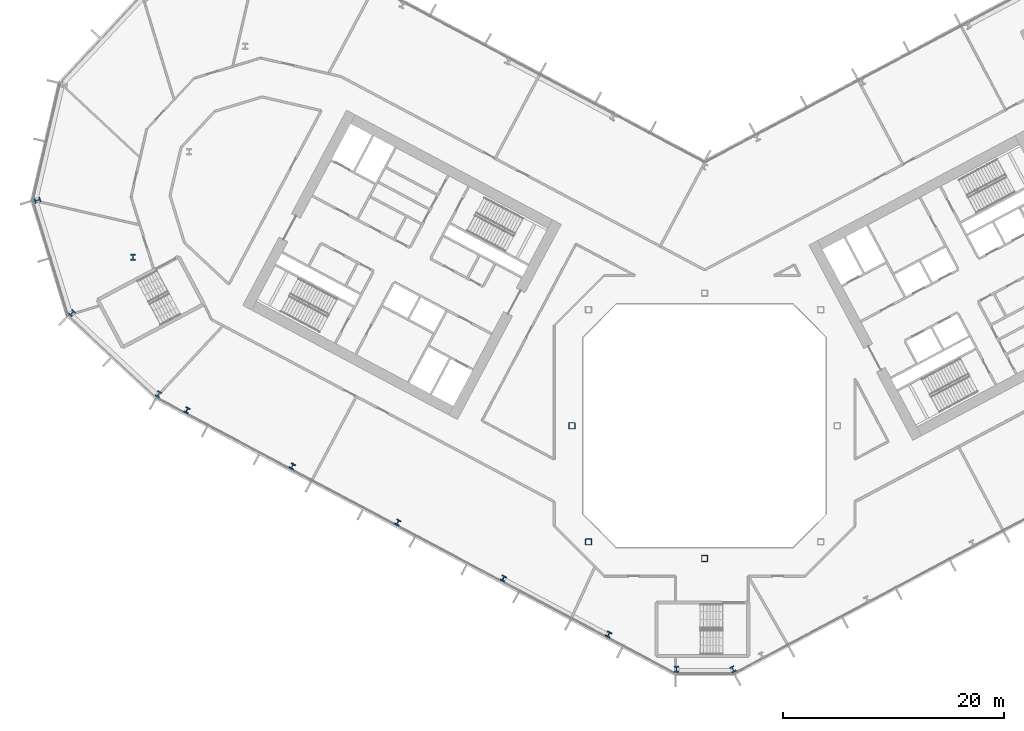
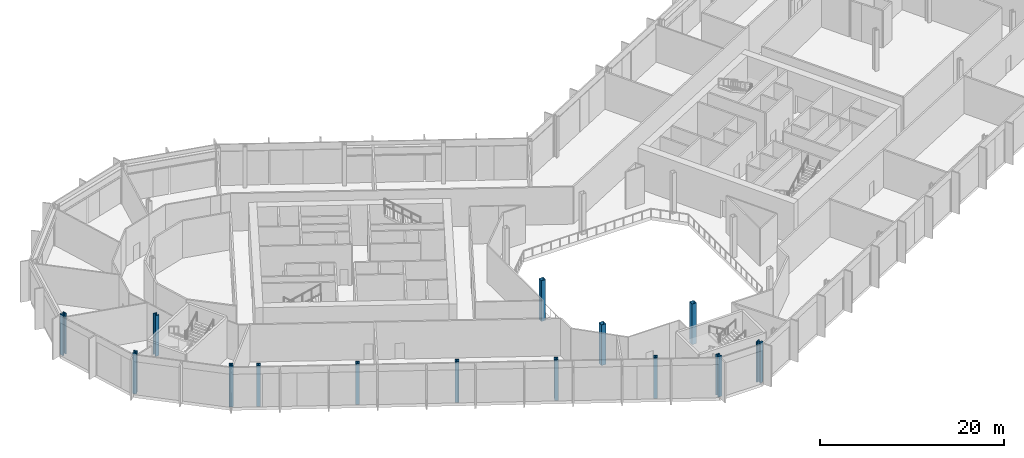
# One storey, part 1 of 30: 14 columns.
"""IFC4 building model written with IfcOpenShell, lengths in metres."""

from ifc_helpers import new_model, si_unit, direction, frame, origin, origin_2d, place, context, subcontext, project, spatial, hollow_rectangle, i_section, extrude, material, material_profile, profile_set, type_object, element, save


model = new_model("IFC4")

# Units and contexts
model_context = context("Model", 3, precision=1e-05, world=origin(), true_north=direction((0.0, 1.0)))
body_context = subcontext(model_context, "Body", "Model", "MODEL_VIEW")
ifc_project = project(units=[si_unit("LENGTHUNIT", "METRE"), si_unit("AREAUNIT", "SQUARE_METRE"), si_unit("VOLUMEUNIT", "CUBIC_METRE"), si_unit("PLANEANGLEUNIT", "RADIAN"), si_unit("MASSUNIT", "GRAM", prefix="KILO")], contexts=[model_context])

# Site, building, storey
site_placement = place(None, origin())
site = spatial("IfcSite", under=ifc_project, at=site_placement, CompositionType="ELEMENT")
building_placement = place(site_placement, origin())
building = spatial("IfcBuilding", under=site, at=building_placement, Name="Cormorant Relay Tower", CompositionType="ELEMENT")
storey_placement = place(building_placement, frame((0.0, 0.0, 55.39990234375)))
storey = spatial("IfcBuildingStorey", under=building, at=storey_placement, Name="L10", CompositionType="ELEMENT", Elevation=55.39990234375)

# Columns
ifc_material_1 = material(Name="Steel ASTM A1085 Grade A (Fy 345 MPa)", Category="steel")
ifc_material_profile_1 = material_profile(ifc_material_1, hollow_rectangle(XDim=0.558837890625, YDim=0.558837890625, WallThickness=0.023681640625, InnerFilletRadius=0.01171875, OuterFilletRadius=0.035400390625, at=origin_2d()), Name="HSS559x559x24")
ifc_profile_set_1 = profile_set([ifc_material_profile_1], Name="Steel ASTM A1085 Grade A (Fy 345 MPa)")
column_type_1 = type_object("IfcColumnType", Name="Column HSS559x559x24", PredefinedType="COLUMN", material=ifc_profile_set_1)
for number, where, z_axis, x_axis, name in (
    (1, (0.0, -12.0, 0.0), (0.0, 0.0, 1.0), (1.0, 0.0, 0.0), "Column L10-007"),
    (2, (-10.5, -10.5, 0.0), (0.0, 0.0, 1.0), (1.0, 0.0, 0.0), "Column L10-009"),
    (3, (-12.0, 0.0, 0.0), (0.0, 0.0, 1.0), (1.0, 0.0, 0.0), "Column L10-015"),
):
    element("IfcColumn", number, at=place(storey_placement, frame(where, z_axis=z_axis, x_axis=x_axis)), inside=storey, type_object=column_type_1, Name=name, PredefinedType="COLUMN", context=body_context, shape_type="SweptSolid", body=[
        extrude(hollow_rectangle(XDim=0.558837890625, YDim=0.558837890625, WallThickness=0.023681640625, InnerFilletRadius=0.01171875, OuterFilletRadius=0.035400390625, at=origin_2d()), origin(), (0.0, 0.0, 1.0), 5.400146484375),
    ])
ifc_material_2 = material(Name="Steel ASTM A992 (Fy 345 MPa)", Category="steel")
ifc_material_profile_2 = material_profile(ifc_material_2, i_section(OverallWidth=0.45458984375, OverallDepth=0.569091796875, WebThickness=0.077880859375, FlangeThickness=0.124755859375, FilletRadius=0.015380859375, at=origin_2d()), Name="W360x1086")
ifc_profile_set_2 = profile_set([ifc_material_profile_2], Name="Steel ASTM A992 (Fy 345 MPa)")
column_type_2 = type_object("IfcColumnType", Name="Column W360x1086", PredefinedType="COLUMN", material=ifc_profile_set_2)
for number, where, z_axis, x_axis, name in (
    (4, (-2.55908203125, -22.01708984375, 0.0), (0.0, 0.0, 1.0), (1.0, 0.0, 0.0), "Column L10-001"),
    (5, (2.55908203125, -22.01708984375, 0.0), (0.0, 0.0, 1.0), (0.882947592859, 0.469471562786, 0.0), "Column L10-002"),
    (6, (-49.39404296875, 2.861083984375, 0.0), (0.0, 0.0, 1.0), (0.882947592859, -0.469471562786, 0.0), "Column L10-018"),
    (7, (-57.218994140625, 10.198974609375, 0.0), (0.0, 0.0, 1.0), (0.731353701619, -0.681998360062, 0.0), "Column L10-021"),
    (8, (-51.68994140625, 15.251953125, 0.0), (0.0, 0.0, 1.0), (1.0, 0.0, 0.0), "Column L10-027"),
    (9, (-60.340087890625, 20.406982421875, 0.0), (0.0, 0.0, 1.0), (0.292371704723, -0.956304755963, 0.0), "Column L10-030"),
):
    element("IfcColumn", number, at=place(storey_placement, frame(where, z_axis=z_axis, x_axis=x_axis)), inside=storey, type_object=column_type_2, Name=name, PredefinedType="COLUMN", context=body_context, shape_type="SweptSolid", body=[
        extrude(i_section(OverallWidth=0.45458984375, OverallDepth=0.569091796875, WebThickness=0.077880859375, FlangeThickness=0.124755859375, FilletRadius=0.015380859375, at=origin_2d()), origin(), (0.0, 0.0, 1.0), 5.400146484375),
    ])
ifc_material_3 = material(Name="Steel ASTM A992 (Fy 345 MPa)", Category="steel")
ifc_material_profile_3 = material_profile(ifc_material_3, i_section(OverallWidth=0.43701171875, OverallDepth=0.51318359375, WebThickness=0.060546875, FlangeThickness=0.096923828125, FilletRadius=0.015380859375, at=origin_2d()), Name="W360x818")
ifc_profile_set_3 = profile_set([ifc_material_profile_3], Name="Steel ASTM A992 (Fy 345 MPa)")
column_type_3 = type_object("IfcColumnType", Name="Column W360x818", PredefinedType="COLUMN", material=ifc_profile_set_3)
for number, where, z_axis, x_axis, name in (
    (10, (-8.677001953125, -18.8759765625, 0.0), (0.0, 0.0, 1.0), (0.882947592859, -0.469471562786, 0.0), "Column L10-004"),
    (11, (-18.212890625, -13.804931640625, 0.0), (0.0, 0.0, 1.0), (0.882947592859, -0.469471562786, 0.0), "Column L10-006"),
    (12, (-27.7490234375, -8.735107421875, 0.0), (0.0, 0.0, 1.0), (0.882947592859, -0.469471562786, 0.0), "Column L10-011"),
    (13, (-37.284912109375, -3.6650390625, 0.0), (0.0, 0.0, 1.0), (0.882947592859, -0.469471562786, 0.0), "Column L10-013"),
    (14, (-46.821044921875, 1.405029296875, 0.0), (0.0, 0.0, 1.0), (0.882947592859, -0.469471562786, 0.0), "Column L10-017"),
):
    element("IfcColumn", number, at=place(storey_placement, frame(where, z_axis=z_axis, x_axis=x_axis)), inside=storey, type_object=column_type_3, Name=name, PredefinedType="COLUMN", context=body_context, shape_type="SweptSolid", body=[
        extrude(i_section(OverallWidth=0.43701171875, OverallDepth=0.51318359375, WebThickness=0.060546875, FlangeThickness=0.096923828125, FilletRadius=0.015380859375, at=origin_2d()), origin(), (0.0, 0.0, 1.0), 5.400146484375),
    ])

save(model, "model.ifc")
